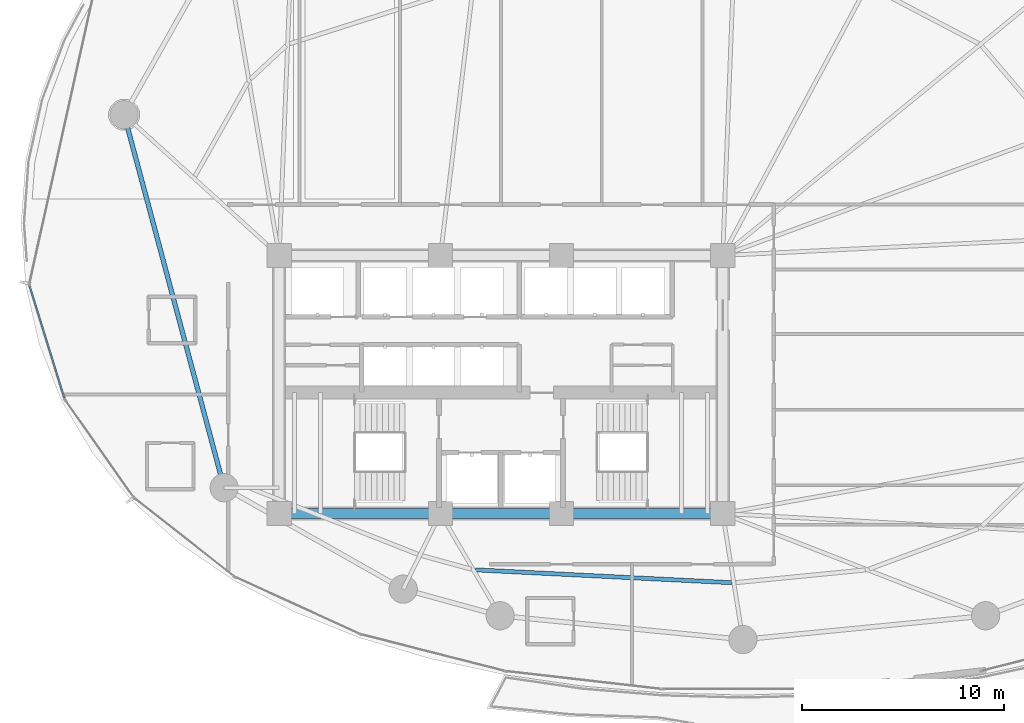
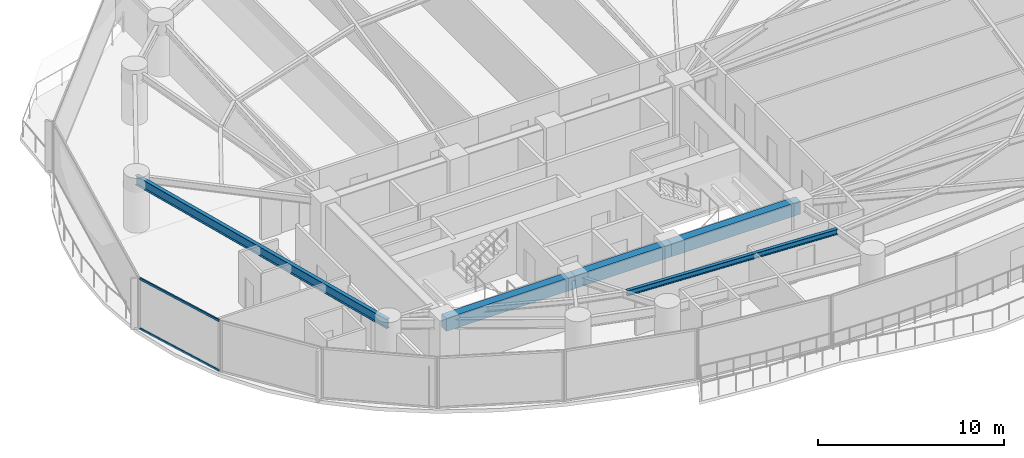
# One storey, part 7 of 34: 5 beams, 2 members, 1 element without a shape of its own.
"""IFC4 building model written with IfcOpenShell, lengths in metres."""

from ifc_helpers import new_model, si_unit, direction, frame, origin, origin_2d, place, context, subcontext, project, spatial, rectangle, hollow_rectangle, i_section, extrude, material, layer, layer_set, material_profile, profile_set, type_object, element, aggregate, save


model = new_model("IFC4")

# Units and contexts
model_context = context("Model", 3, precision=1e-05, world=origin(), true_north=direction((0.0, 1.0)))
body_context = subcontext(model_context, "Body", "Model", "MODEL_VIEW")
ifc_project = project(units=[si_unit("LENGTHUNIT", "METRE"), si_unit("AREAUNIT", "SQUARE_METRE"), si_unit("VOLUMEUNIT", "CUBIC_METRE"), si_unit("PLANEANGLEUNIT", "RADIAN"), si_unit("MASSUNIT", "GRAM", prefix="KILO")], contexts=[model_context])

# Site, building, storey
site_placement = place(None, origin())
site = spatial("IfcSite", under=ifc_project, at=site_placement, CompositionType="ELEMENT")
building_placement = place(site_placement, origin())
building = spatial("IfcBuilding", under=site, at=building_placement, Name="Kazevale Care Tower and Concert Hall", CompositionType="ELEMENT")
storey_placement = place(building_placement, frame((0.0, 0.0, 67.199951171875)))
storey = spatial("IfcBuildingStorey", under=building, at=storey_placement, Name="L17", CompositionType="ELEMENT", Elevation=67.199951171875)

# Curtain wall, members
ifc_material_1 = material(Name="Aluminium 6063-T6 and Low-E Glass", Category="aluminium")
ifc_layer = layer(ifc_material_1, 0.179931640625)
ifc_layer_set = layer_set([ifc_layer], Name="Aluminium 6063-T6 and Low-E Glass")
curtain_wall_type = type_object("IfcCurtainWallType", Name="Waist & Upper Residential Curtain Wall CW-4", PredefinedType="NOTDEFINED", material=ifc_layer_set)
curtain_wall_placement = place(storey_placement, origin())
curtain_wall = element("IfcCurtainWall", 1, at=curtain_wall_placement, inside=storey, type_object=curtain_wall_type, Name="cw:L17:f12", PredefinedType="NOTDEFINED")
ifc_material_2 = material(Name="Aluminium 6063-T6", Category="aluminium")
ifc_material_profile_1 = material_profile(ifc_material_2, hollow_rectangle(XDim=0.080078125, YDim=0.139892578125, WallThickness=0.00390625, at=origin_2d()), Name="ALU80x140x4")
ifc_profile_set_1 = profile_set([ifc_material_profile_1], Name="Aluminium 6063-T6")
member_type = type_object("IfcMemberType", Name="CW-4 Transom ALU80x140x4", PredefinedType="USERDEFINED", material=ifc_profile_set_1)
member_1_placement = place(storey_placement, frame((11.347412109375, 29.33447265625, 0.0400390625), z_axis=(-0.296117563823, 0.955151500232, 0.0), x_axis=(-0.955151500232, -0.296117563823, 0.0)))
member_1 = element("IfcMember", 2, at=member_1_placement, type_object=member_type, Name="CW-4 transom 1.1", ObjectType="TRANSOM", PredefinedType="USERDEFINED", context=body_context, shape_type="SweptSolid", body=[
    extrude(hollow_rectangle(XDim=0.080078125, YDim=0.139892578125, WallThickness=0.00390625, at=origin_2d()), origin(), (0.0, 0.0, 1.0), 5.8076171875),
])
member_2_placement = place(storey_placement, frame((11.347412109375, 29.33447265625, 3.320068359375), z_axis=(-0.296117563823, 0.955151500232, 0.0), x_axis=(-0.955151500232, -0.296117563823, 0.0)))
member_2 = element("IfcMember", 3, at=member_2_placement, type_object=member_type, Name="CW-4 transom 1.2", ObjectType="TRANSOM", PredefinedType="USERDEFINED", context=body_context, shape_type="SweptSolid", body=[
    extrude(hollow_rectangle(XDim=0.080078125, YDim=0.139892578125, WallThickness=0.00390625, at=origin_2d()), origin(), (0.0, 0.0, 1.0), 5.8076171875),
])
aggregate(curtain_wall, [member_1, member_2])

# Beams
ifc_material_3 = material(Name="Concrete C60", Category="concrete")
ifc_material_profile_2 = material_profile(ifc_material_3, rectangle(XDim=0.5, YDim=0.85009765625, at=origin_2d()), Name="RC-B500x850")
ifc_profile_set_2 = profile_set([ifc_material_profile_2], Name="Concrete C60")
beam_type_1 = type_object("IfcBeamType", Name="Core Coupling Beam RC500x850", PredefinedType="LINTEL", material=ifc_profile_set_2)
beam_1_placement = place(storey_placement, frame((22.0, 23.60009765625, 2.93505859375), z_axis=(1.0, 0.0, 0.0), x_axis=(0.0, 1.0, 0.0)))
element("IfcBeam", 4, at=beam_1_placement, inside=storey, type_object=beam_type_1, Name="beam:L17:coretie:1", PredefinedType="LINTEL", context=body_context, shape_type="SweptSolid", body=[
    extrude(rectangle(XDim=0.5, YDim=0.85009765625, at=origin_2d()), origin(), (0.0, 0.0, 1.0), 8.0),
])
beam_2_placement = place(storey_placement, frame((30.0, 23.60009765625, 2.93505859375), z_axis=(1.0, 0.0, 0.0), x_axis=(0.0, 1.0, 0.0)))
element("IfcBeam", 5, at=beam_2_placement, inside=storey, type_object=beam_type_1, Name="beam:L17:coretie:2", PredefinedType="LINTEL", context=body_context, shape_type="SweptSolid", body=[
    extrude(rectangle(XDim=0.5, YDim=0.85009765625, at=origin_2d()), origin(), (0.0, 0.0, 1.0), 6.0),
])
beam_3_placement = place(storey_placement, frame((36.0, 23.60009765625, 2.93505859375), z_axis=(1.0, 0.0, 0.0), x_axis=(0.0, 1.0, 0.0)))
element("IfcBeam", 6, at=beam_3_placement, inside=storey, type_object=beam_type_1, Name="beam:L17:coretie:3", PredefinedType="LINTEL", context=body_context, shape_type="SweptSolid", body=[
    extrude(rectangle(XDim=0.5, YDim=0.85009765625, at=origin_2d()), origin(), (0.0, 0.0, 1.0), 8.0),
])
ifc_material_4 = material(Name="Steel ASTM A572 Gr 50", Category="steel")
ifc_material_profile_3 = material_profile(ifc_material_4, i_section(OverallWidth=0.22900390625, OverallDepth=0.612060546875, WebThickness=0.011962890625, FlangeThickness=0.01953125, at=origin_2d()), Name="W610x125")
ifc_profile_set_3 = profile_set([ifc_material_profile_3], Name="Steel ASTM A572 Gr 50")
beam_type_2 = type_object("IfcBeamType", Name="Ring Spandrel Beam W610x125", PredefinedType="SPANDREL", material=ifc_profile_set_3)
beam_4_placement = place(storey_placement, frame((14.31005859375, 43.3798828125, 3.053955078125), z_axis=(0.258960352031, -0.965887952133, 0.0), x_axis=(0.965887952133, 0.258960352031, 0.0)))
element("IfcBeam", 7, at=beam_4_placement, inside=storey, type_object=beam_type_2, Name="beam:L17:ring:09", PredefinedType="SPANDREL", context=body_context, shape_type="SweptSolid", body=[
    extrude(i_section(OverallWidth=0.22900390625, OverallDepth=0.612060546875, WebThickness=0.011962890625, FlangeThickness=0.01953125, at=origin_2d()), origin(), (0.0, 0.0, 1.0), 19.1533203125),
])
ifc_material_profile_4 = material_profile(ifc_material_4, i_section(OverallWidth=0.205078125, OverallDepth=0.35400390625, WebThickness=0.009521484375, FlangeThickness=0.016845703125, at=origin_2d()), Name="W360x79")
ifc_profile_set_4 = profile_set([ifc_material_profile_4], Name="Steel ASTM A572 Gr 50")
beam_type_3 = type_object("IfcBeamType", Name="Secondary Floor Joist W360x79", PredefinedType="JOIST", material=ifc_profile_set_4)
beam_5_placement = place(storey_placement, frame((31.73291015625, 20.805908203125, 3.18310546875), z_axis=(0.998743186005, -0.050120339262, 0.0), x_axis=(0.050120339262, 0.998743186005, 0.0)))
element("IfcBeam", 8, at=beam_5_placement, inside=storey, type_object=beam_type_3, Name="beam:L17:joist:12", PredefinedType="JOIST", context=body_context, shape_type="SweptSolid", body=[
    extrude(i_section(OverallWidth=0.205078125, OverallDepth=0.35400390625, WebThickness=0.009521484375, FlangeThickness=0.016845703125, at=origin_2d()), origin(), (0.0, 0.0, 1.0), 12.728271484375),
])

save(model, "model.ifc")
